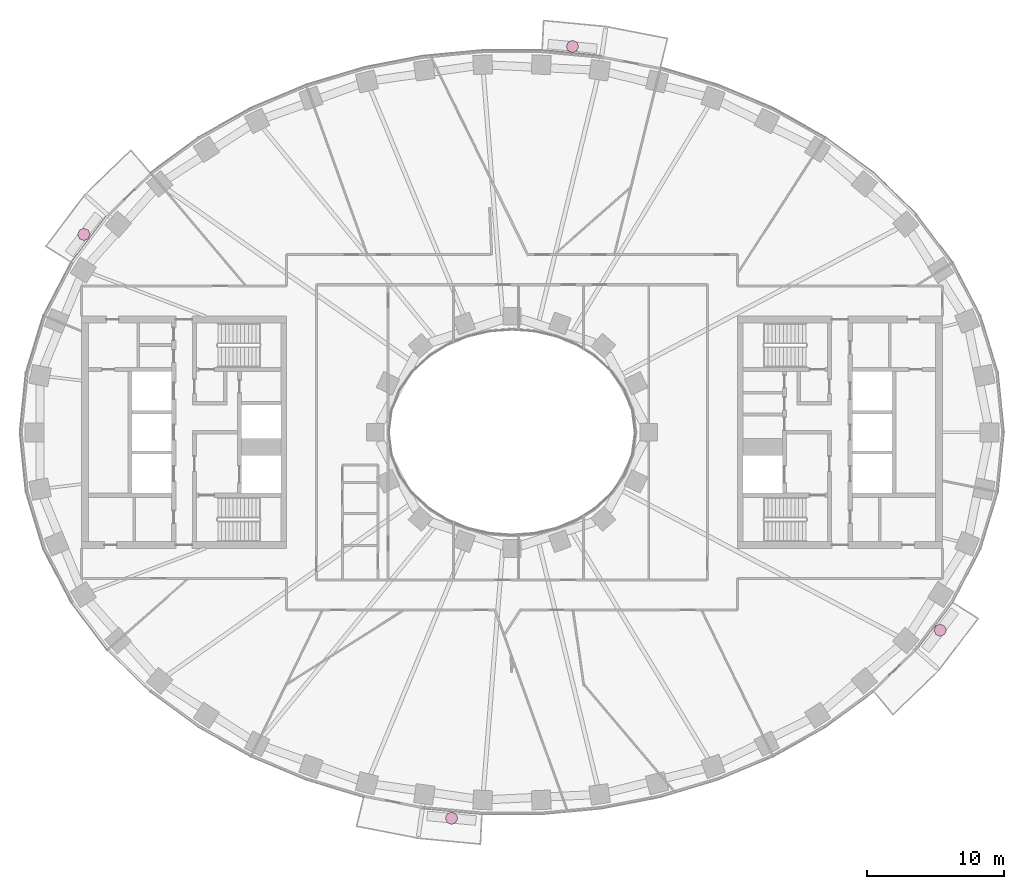
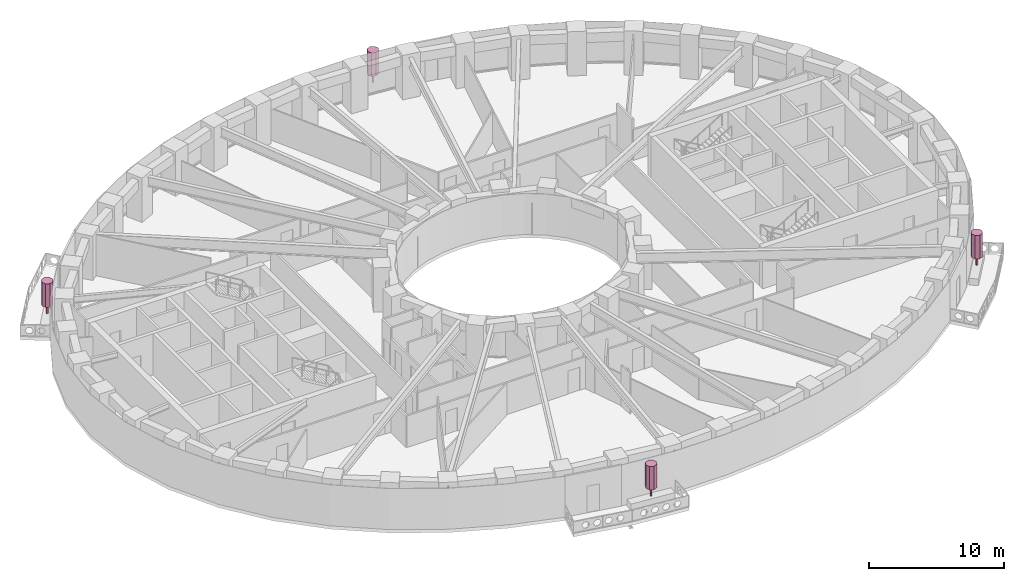
# One storey, part 16 of 16: 4 furnishings.
"""IFC4 building model written with IfcOpenShell, lengths in metres."""

from ifc_helpers import new_model, si_unit, direction, frame, origin, origin_2d, place, context, subcontext, project, spatial, polyline, rectangle, outline, extrude, material, type_object, element, save


model = new_model("IFC4")

# Units and contexts
model_context = context("Model", 3, precision=1e-05, world=origin(), true_north=direction((0.0, 1.0)))
body_context = subcontext(model_context, "Body", "Model", "MODEL_VIEW")
ifc_project = project(units=[si_unit("LENGTHUNIT", "METRE"), si_unit("AREAUNIT", "SQUARE_METRE"), si_unit("VOLUMEUNIT", "CUBIC_METRE"), si_unit("PLANEANGLEUNIT", "RADIAN"), si_unit("MASSUNIT", "GRAM", prefix="KILO")], contexts=[model_context])

# Site, building, storey
site_placement = place(None, origin())
site = spatial("IfcSite", under=ifc_project, at=site_placement, CompositionType="ELEMENT")
building_placement = place(site_placement, origin())
building = spatial("IfcBuilding", under=site, at=building_placement, Name="Noorbagh Ring Tower", CompositionType="ELEMENT")
storey_placement = place(building_placement, frame((0.0, 0.0, 58.5)))
storey = spatial("IfcBuildingStorey", under=building, at=storey_placement, Name="L12", CompositionType="ELEMENT", Elevation=58.5)

# Furnishings
ifc_material = material(Name="Planting foliage green")
furnishing_element_type = type_object("IfcFurnishingElementType", Name="ENV-TREE", material=ifc_material)
for number, where, z_axis, x_axis, name in (
    (1, (4.423828125, 28.2373046875, 0.60009765625), (0.0, 0.0, 1.0), (1.0, 0.0, 0.0), "Tree BN03"),
    (2, (-31.329833984375, 14.4833984375, 0.60009765625), (0.0, 0.0, 1.0), (1.0, 0.0, 0.0), "Tree BN06"),
    (3, (-4.423828125, -28.2373046875, 0.60009765625), (0.0, 0.0, 1.0), (1.0, 0.0, 0.0), "Tree BS03"),
    (4, (31.329833984375, -14.4833984375, 0.60009765625), (0.0, 0.0, 1.0), (1.0, 0.0, 0.0), "Tree BS06"),
):
    element("IfcFurnishingElement", number, at=place(storey_placement, frame(where, z_axis=z_axis, x_axis=x_axis)), inside=storey, type_object=furnishing_element_type, Name=name, context=body_context, shape_type="SweptSolid", body=[
        extrude(rectangle(XDim=0.1201171875, YDim=0.1201171875, at=origin_2d()), origin(), (0.0, 0.0, 1.0), 0.825927734375),
        extrude(outline(polyline([(0.449951171875, 0.0), (0.318115234375, 0.318115234375), (0.0, 0.449951171875), (-0.318115234375, 0.318115234375), (-0.449951171875, 0.0), (-0.318115234375, -0.318115234375), (0.0, -0.449951171875), (0.318115234375, -0.318115234375), (0.449951171875, 0.0)])), frame((0.0, 0.0, 0.825927734375)), (0.0, 0.0, 1.0), 2.1240234375),
    ])

save(model, "model.ifc")
